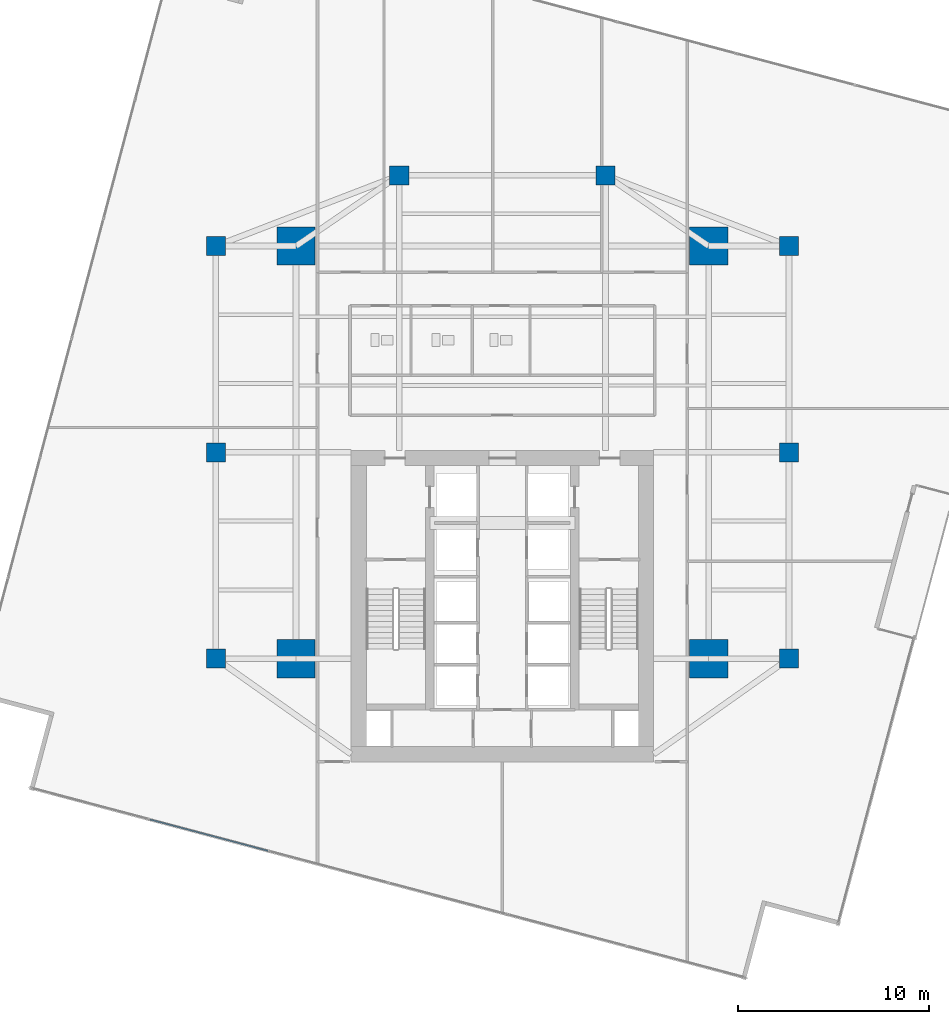
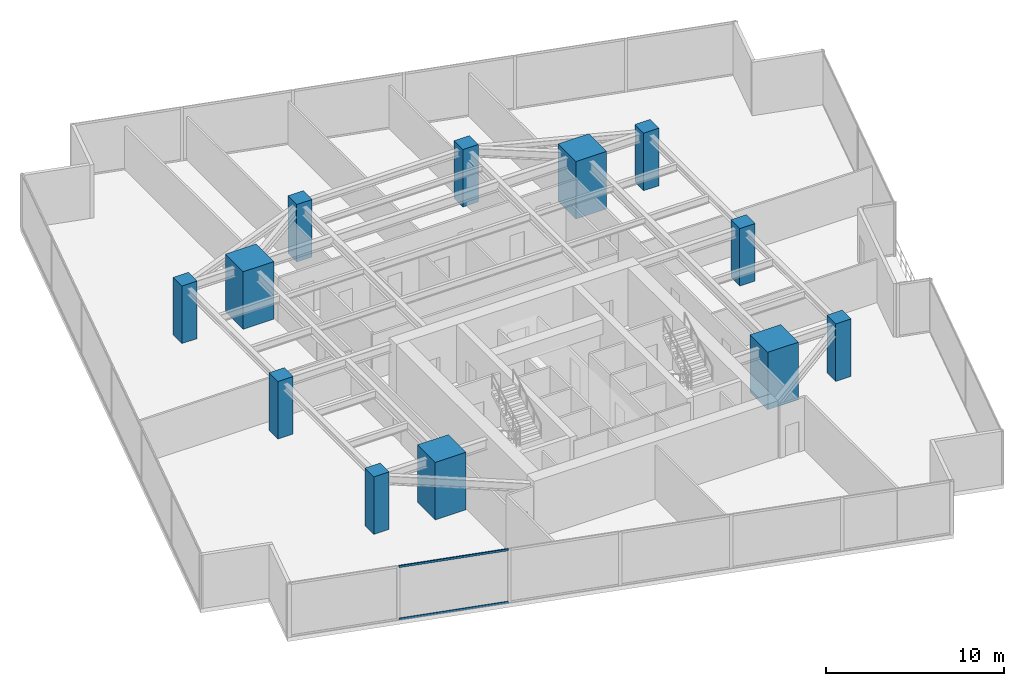
# One storey, part 1 of 27: 12 columns, 2 members, 1 element without a shape of its own.
"""IFC4 building model written with IfcOpenShell, lengths in metres."""

from ifc_helpers import new_model, si_unit, direction, frame, origin, origin_2d, place, context, subcontext, project, spatial, rectangle, hollow_rectangle, extrude, source, transform, mapped, material, material_profile, profile_set, type_object, type_shapes, element, aggregate, save


model = new_model("IFC4")

# Units and contexts
model_context = context("Model", 3, precision=1e-05, world=origin(), true_north=direction((0.0, 1.0)))
body_context = subcontext(model_context, "Body", "Model", "MODEL_VIEW")
ifc_project = project(units=[si_unit("LENGTHUNIT", "METRE"), si_unit("AREAUNIT", "SQUARE_METRE"), si_unit("VOLUMEUNIT", "CUBIC_METRE"), si_unit("PLANEANGLEUNIT", "RADIAN"), si_unit("MASSUNIT", "GRAM", prefix="KILO")], contexts=[model_context])

# Site, building, storey
site_placement = place(None, origin())
site = spatial("IfcSite", under=ifc_project, at=site_placement, CompositionType="ELEMENT")
building_placement = place(site_placement, origin())
building = spatial("IfcBuilding", under=site, at=building_placement, Name="Krantzveldt Concourse Tower", CompositionType="ELEMENT")
storey_placement = place(building_placement, frame((0.0, 0.0, 105.85009765625)))
storey = spatial("IfcBuildingStorey", under=building, at=storey_placement, Name="L25", CompositionType="ELEMENT", Elevation=105.85009765625)

# Columns
ifc_material_1 = material(Name="Concrete C60/75", Category="concrete")
ifc_material_profile_1 = material_profile(ifc_material_1, rectangle(XDim=2.0, YDim=2.0, at=origin_2d()), Name="Concrete C60/75", Category="concrete")
ifc_profile_set_1 = profile_set([ifc_material_profile_1], Name="Concrete C60/75 - RC 2000x2000")
column_type_1 = type_object("IfcColumnType", Name="COL-MC-2000", PredefinedType="USERDEFINED", material=ifc_profile_set_1)
shared_shape_1 = source(origin(), body_context, "Body", "SweptSolid", [
    extrude(rectangle(XDim=2.0, YDim=2.0, at=origin_2d()), origin(), (0.0, 0.0, 1.0), 3.949951171875),
])
type_shapes(column_type_1, [shared_shape_1])
for number, where, z_axis, x_axis, name in (
    (1, (25.199951171875, 15.89990234375, 0.0), (0.0, 0.0, 1.0), (1.0, 0.0, 0.0), "MC-SW-L25"),
    (2, (46.800048828125, 15.89990234375, 0.0), (0.0, 0.0, 1.0), (1.0, 0.0, 0.0), "MC-SE-L25"),
    (3, (46.800048828125, 37.5, 0.0), (0.0, 0.0, 1.0), (1.0, 0.0, 0.0), "MC-NE-L25"),
    (4, (25.199951171875, 37.5, 0.0), (0.0, 0.0, 1.0), (1.0, 0.0, 0.0), "MC-NW-L25"),
):
    element("IfcColumn", number, at=place(storey_placement, frame(where, z_axis=z_axis, x_axis=x_axis)), inside=storey, type_object=column_type_1, Name=name, ObjectType="MEGA COLUMN", PredefinedType="USERDEFINED", context=body_context, shape_type="MappedRepresentation", body=[
        mapped(shared_shape_1, transform((0.0, 0.0, 0.0), x_axis=(1.0, 0.0, 0.0), y_axis=(0.0, 1.0, 0.0), z_axis=(0.0, 0.0, 1.0), scale=1.0)),
    ])
ifc_material_profile_2 = material_profile(ifc_material_1, rectangle(XDim=1.0, YDim=1.0, at=origin_2d()), Name="Concrete C60/75", Category="concrete")
ifc_profile_set_2 = profile_set([ifc_material_profile_2], Name="Concrete C60/75 - RC 1000x1000")
column_type_2 = type_object("IfcColumnType", Name="COL-C-Z2", PredefinedType="COLUMN", material=ifc_profile_set_2)
shared_shape_2 = source(origin(), body_context, "Body", "SweptSolid", [
    extrude(rectangle(XDim=1.0, YDim=1.0, at=origin_2d()), origin(), (0.0, 0.0, 1.0), 3.949951171875),
])
type_shapes(column_type_2, [shared_shape_2])
for number, where, z_axis, x_axis, name in (
    (5, (21.0, 15.89990234375, 0.0), (0.0, 0.0, 1.0), (1.0, 0.0, 0.0), "PC-R01-L25"),
    (6, (21.0, 26.699951171875, 0.0), (0.0, 0.0, 1.0), (1.0, 0.0, 0.0), "PC-R02-L25"),
    (7, (21.0, 37.5, 0.0), (0.0, 0.0, 1.0), (1.0, 0.0, 0.0), "PC-R03-L25"),
    (8, (30.60009765625, 41.199951171875, 0.0), (0.0, 0.0, 1.0), (1.0, 0.0, 0.0), "PC-R04-L25"),
    (9, (41.39990234375, 41.199951171875, 0.0), (0.0, 0.0, 1.0), (1.0, 0.0, 0.0), "PC-R05-L25"),
    (10, (51.0, 37.5, 0.0), (0.0, 0.0, 1.0), (1.0, 0.0, 0.0), "PC-R06-L25"),
    (11, (51.0, 26.699951171875, 0.0), (0.0, 0.0, 1.0), (1.0, 0.0, 0.0), "PC-R07-L25"),
    (12, (51.0, 15.89990234375, 0.0), (0.0, 0.0, 1.0), (1.0, 0.0, 0.0), "PC-R08-L25"),
):
    element("IfcColumn", number, at=place(storey_placement, frame(where, z_axis=z_axis, x_axis=x_axis)), inside=storey, type_object=column_type_2, Name=name, PredefinedType="COLUMN", context=body_context, shape_type="MappedRepresentation", body=[
        mapped(shared_shape_2, transform((0.0, 0.0, 0.0), x_axis=(1.0, 0.0, 0.0), y_axis=(0.0, 1.0, 0.0), z_axis=(0.0, 0.0, 1.0), scale=1.0)),
    ])

# Curtain wall, members
ifc_material_2 = material(Name="Anodised aluminium 6063-T6", Category="aluminium")
curtain_wall_type = type_object("IfcCurtainWallType", Name="CW2", PredefinedType="USERDEFINED", material=ifc_material_2)
curtain_wall_placement = place(storey_placement, origin())
curtain_wall = element("IfcCurtainWall", 13, at=curtain_wall_placement, inside=storey, type_object=curtain_wall_type, Name="CW-L25-F04", ObjectType="UNITISED CURTAIN WALL", PredefinedType="USERDEFINED")
ifc_material_profile_3 = material_profile(ifc_material_2, hollow_rectangle(XDim=0.070068359375, YDim=0.139892578125, WallThickness=0.0048828125, at=origin_2d()), Name="Anodised aluminium 6063-T6", Category="aluminium")
ifc_profile_set_3 = profile_set([ifc_material_profile_3], Name="Anodised aluminium 6063-T6 - ALU-TRAN 140x70x5")
member_type = type_object("IfcMemberType", Name="CW-TRN-150", PredefinedType="USERDEFINED", material=ifc_profile_set_3)
shared_shape_3 = source(origin(), body_context, "Body", "SweptSolid", [
    extrude(hollow_rectangle(XDim=0.070068359375, YDim=0.139892578125, WallThickness=0.0048828125, at=origin_2d()), origin(), (0.0, 0.0, 1.0), 6.396484375),
])
type_shapes(member_type, [shared_shape_3])
member_1_placement = place(storey_placement, frame((17.550048828125, 7.482421875, 0.034912109375), z_axis=(0.966477136093, -0.256752693093, 0.0), x_axis=(0.256752693093, 0.966477136093, 0.0)))
member_1 = element("IfcMember", 14, at=member_1_placement, type_object=member_type, Name="CW-Z12 transom 2.1", ObjectType="TRANSOM", PredefinedType="USERDEFINED", context=body_context, shape_type="MappedRepresentation", body=[
    mapped(shared_shape_3, transform((0.0, 0.0, 0.0), x_axis=(1.0, 0.0, 0.0), y_axis=(0.0, 1.0, 0.0), z_axis=(0.0, 0.0, 1.0), scale=1.0)),
])
member_2_placement = place(storey_placement, frame((17.550048828125, 7.482421875, 3.635009765625), z_axis=(0.966477136093, -0.256752693093, 0.0), x_axis=(0.256752693093, 0.966477136093, 0.0)))
member_2 = element("IfcMember", 15, at=member_2_placement, type_object=member_type, Name="CW-Z12 transom 2.2", ObjectType="TRANSOM", PredefinedType="USERDEFINED", context=body_context, shape_type="MappedRepresentation", body=[
    mapped(shared_shape_3, transform((0.0, 0.0, 0.0), x_axis=(1.0, 0.0, 0.0), y_axis=(0.0, 1.0, 0.0), z_axis=(0.0, 0.0, 1.0), scale=1.0)),
])
aggregate(curtain_wall, [member_1, member_2])

save(model, "model.ifc")
